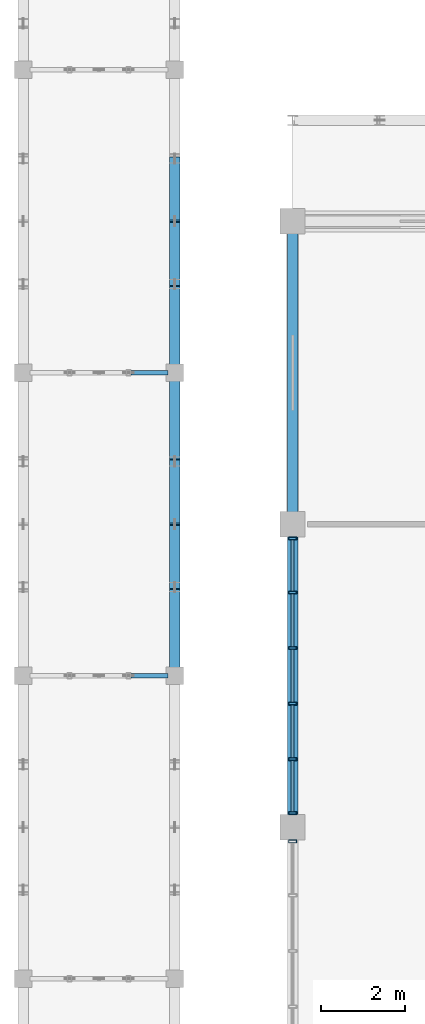
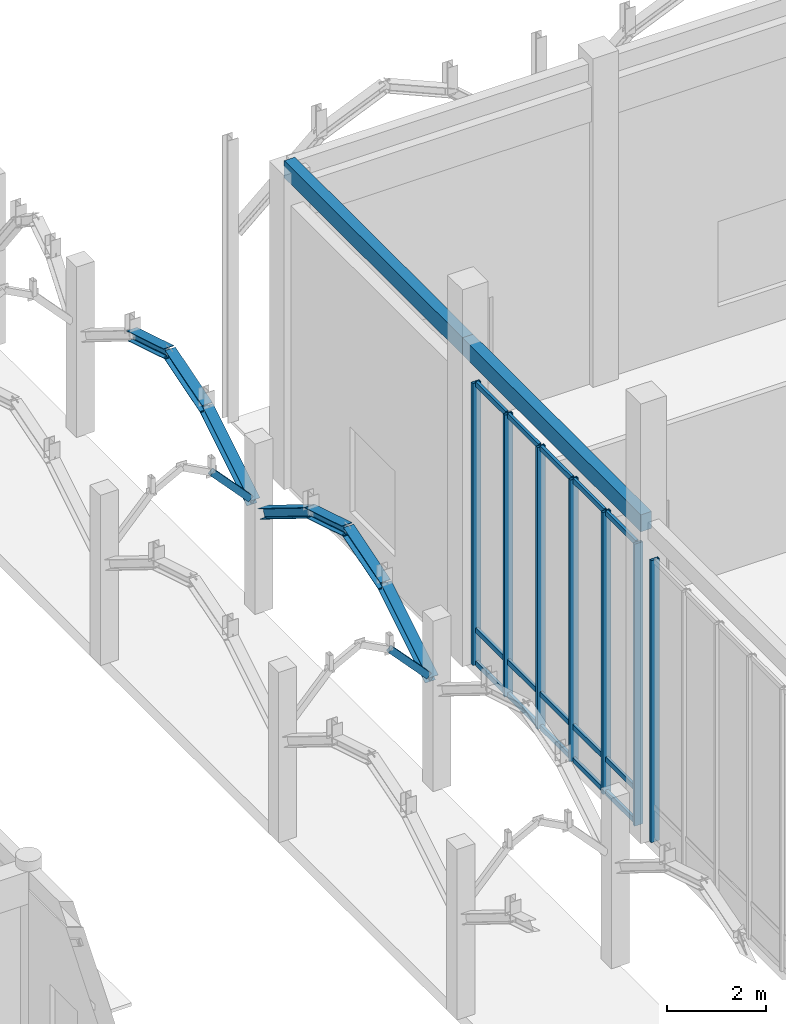
# One storey, part 25 of 138: 31 members, 2 beams, 2 elements without a shape of their own.
"""IFC4 building model written with IfcOpenShell, lengths in metres."""

from ifc_helpers import new_model, si_unit, direction, frame, origin, origin_2d, place, context, subcontext, project, spatial, rectangle, hollow_rectangle, i_section, extrude, material, layer, layer_set, material_profile, profile_set, type_object, element, aggregate, save


model = new_model("IFC4")

# Units and contexts
model_context = context("Model", 3, precision=1e-05, world=origin(), true_north=direction((0.0, 1.0)))
body_context = subcontext(model_context, "Body", "Model", "MODEL_VIEW")
ifc_project = project(units=[si_unit("LENGTHUNIT", "METRE"), si_unit("AREAUNIT", "SQUARE_METRE"), si_unit("VOLUMEUNIT", "CUBIC_METRE"), si_unit("PLANEANGLEUNIT", "RADIAN"), si_unit("MASSUNIT", "GRAM", prefix="KILO"), si_unit("THERMODYNAMICTEMPERATUREUNIT", "KELVIN"), si_unit("POWERUNIT", "WATT")], contexts=[model_context])

# Site, building, storey
site_placement = place(None, origin())
site = spatial("IfcSite", under=ifc_project, at=site_placement, CompositionType="ELEMENT")
building_placement = place(site_placement, origin())
building = spatial("IfcBuilding", under=site, at=building_placement, Name="Tavuni Mirador Residences", CompositionType="ELEMENT")
storey_placement = place(building_placement, origin())
storey = spatial("IfcBuildingStorey", under=building, at=storey_placement, Name="L00", CompositionType="ELEMENT", Elevation=0.0)

# Beams
ifc_material_1 = material(Name="Precast concrete C40/50", Category="concrete")
ifc_material_profile_1 = material_profile(ifc_material_1, rectangle(XDim=0.25, YDim=0.419921875, at=origin_2d()), Name="PC 250x420", Category="concrete")
ifc_profile_set_1 = profile_set([ifc_material_profile_1], Name="Precast concrete C40/50")
beam_type = type_object("IfcBeamType", Name="BT-SP420", PredefinedType="SPANDREL", material=ifc_profile_set_1)
beam_1_placement = place(storey_placement, frame((39.60009765625, 86.39990234375, 7.659912109375), z_axis=(0.0, 1.0, 0.0), x_axis=(-1.0, 0.0, 0.0)))
element("IfcBeam", 1, at=beam_1_placement, inside=storey, type_object=beam_type, Name="BMY-PAV-HALL-L00-00-02", PredefinedType="SPANDREL", context=body_context, shape_type="SweptSolid", body=[
    extrude(rectangle(XDim=0.25, YDim=0.419921875, at=origin_2d()), origin(), (0.0, 0.0, 1.0), 7.2001953125),
])
beam_2_placement = place(storey_placement, frame((39.60009765625, 93.60009765625, 7.659912109375), z_axis=(0.0, 1.0, 0.0), x_axis=(-1.0, 0.0, 0.0)))
element("IfcBeam", 2, at=beam_2_placement, inside=storey, type_object=beam_type, Name="BMY-PAV-HALL-L00-00-03", PredefinedType="SPANDREL", context=body_context, shape_type="SweptSolid", body=[
    extrude(rectangle(XDim=0.25, YDim=0.419921875, at=origin_2d()), origin(), (0.0, 0.0, 1.0), 7.199951171875),
])

# Curtain wall, members
ifc_material_2 = material(Name="Anodised aluminium", Category="aluminium")
ifc_layer = layer(ifc_material_2, 0.199951171875, Name="Anodised aluminium", Category="aluminium")
ifc_layer_set = layer_set([ifc_layer], Name="Anodised aluminium")
curtain_wall_type = type_object("IfcCurtainWallType", Name="CWT-HAL-01", PredefinedType="NOTDEFINED", material=ifc_layer_set)
curtain_wall_1_placement = place(storey_placement, origin())
curtain_wall_1 = element("IfcCurtainWall", 3, at=curtain_wall_1_placement, inside=storey, type_object=curtain_wall_type, Name="CW-PAV-HALL-L00-W02", PredefinedType="NOTDEFINED")
ifc_material_profile_2 = material_profile(ifc_material_2, hollow_rectangle(XDim=0.070068359375, YDim=0.18994140625, WallThickness=0.0048828125, at=origin_2d()), Name="ALU 70x190x5.0", Category="aluminium")
ifc_profile_set_2 = profile_set([ifc_material_profile_2], Name="Anodised aluminium")
member_type_1 = type_object("IfcMemberType", Name="CWM-190", PredefinedType="MULLION", material=ifc_profile_set_2)
member_1_placement = place(storey_placement, frame((39.60009765625, 93.264892578125, 0.0), z_axis=(0.0, 0.0, 1.0), x_axis=(0.0, -1.0, 0.0)))
member_1 = element("IfcMember", 4, at=member_1_placement, type_object=member_type_1, Name="CW-06 mullion 1", PredefinedType="MULLION", context=body_context, shape_type="SweptSolid", body=[
    extrude(hollow_rectangle(XDim=0.070068359375, YDim=0.18994140625, WallThickness=0.0048828125, at=origin_2d()), origin(), (0.0, 0.0, 1.0), 6.949951171875),
])
member_2_placement = place(storey_placement, frame((39.60009765625, 91.97998046875, 0.0), z_axis=(0.0, 0.0, 1.0), x_axis=(0.0, -1.0, 0.0)))
member_2 = element("IfcMember", 5, at=member_2_placement, type_object=member_type_1, Name="CW-06 mullion 2", PredefinedType="MULLION", context=body_context, shape_type="SweptSolid", body=[
    extrude(hollow_rectangle(XDim=0.070068359375, YDim=0.18994140625, WallThickness=0.0048828125, at=origin_2d()), origin(), (0.0, 0.0, 1.0), 6.949951171875),
])
member_3_placement = place(storey_placement, frame((39.60009765625, 90.659912109375, 0.0), z_axis=(0.0, 0.0, 1.0), x_axis=(0.0, -1.0, 0.0)))
member_3 = element("IfcMember", 6, at=member_3_placement, type_object=member_type_1, Name="CW-06 mullion 3", PredefinedType="MULLION", context=body_context, shape_type="SweptSolid", body=[
    extrude(hollow_rectangle(XDim=0.070068359375, YDim=0.18994140625, WallThickness=0.0048828125, at=origin_2d()), origin(), (0.0, 0.0, 1.0), 6.949951171875),
])
member_4_placement = place(storey_placement, frame((39.60009765625, 89.340087890625, 0.0), z_axis=(0.0, 0.0, 1.0), x_axis=(0.0, -1.0, 0.0)))
member_4 = element("IfcMember", 7, at=member_4_placement, type_object=member_type_1, Name="CW-06 mullion 4", PredefinedType="MULLION", context=body_context, shape_type="SweptSolid", body=[
    extrude(hollow_rectangle(XDim=0.070068359375, YDim=0.18994140625, WallThickness=0.0048828125, at=origin_2d()), origin(), (0.0, 0.0, 1.0), 6.949951171875),
])
member_5_placement = place(storey_placement, frame((39.60009765625, 88.02001953125, 0.0), z_axis=(0.0, 0.0, 1.0), x_axis=(0.0, -1.0, 0.0)))
member_5 = element("IfcMember", 8, at=member_5_placement, type_object=member_type_1, Name="CW-06 mullion 5", PredefinedType="MULLION", context=body_context, shape_type="SweptSolid", body=[
    extrude(hollow_rectangle(XDim=0.070068359375, YDim=0.18994140625, WallThickness=0.0048828125, at=origin_2d()), origin(), (0.0, 0.0, 1.0), 6.949951171875),
])
member_6_placement = place(storey_placement, frame((39.60009765625, 86.735107421875, 0.0), z_axis=(0.0, 0.0, 1.0), x_axis=(0.0, -1.0, 0.0)))
member_6 = element("IfcMember", 9, at=member_6_placement, type_object=member_type_1, Name="CW-06 mullion 6", PredefinedType="MULLION", context=body_context, shape_type="SweptSolid", body=[
    extrude(hollow_rectangle(XDim=0.070068359375, YDim=0.18994140625, WallThickness=0.0048828125, at=origin_2d()), origin(), (0.0, 0.0, 1.0), 6.949951171875),
])

# Curtain wall, member
curtain_wall_2_placement = place(storey_placement, origin())
curtain_wall_2 = element("IfcCurtainWall", 10, at=curtain_wall_2_placement, inside=storey, type_object=curtain_wall_type, Name="CW-PAV-HALL-L00-W01", PredefinedType="NOTDEFINED")
member_7_placement = place(storey_placement, frame((39.60009765625, 86.06494140625, 0.0), z_axis=(0.0, 0.0, 1.0), x_axis=(0.0, -1.0, 0.0)))
member_7 = element("IfcMember", 11, at=member_7_placement, type_object=member_type_1, Name="CW-06 mullion 1", PredefinedType="MULLION", context=body_context, shape_type="SweptSolid", body=[
    extrude(hollow_rectangle(XDim=0.070068359375, YDim=0.18994140625, WallThickness=0.0048828125, at=origin_2d()), origin(), (0.0, 0.0, 1.0), 6.949951171875),
])
aggregate(curtain_wall_2, [member_7])

# Member
ifc_material_profile_3 = material_profile(ifc_material_2, hollow_rectangle(XDim=0.06494140625, YDim=0.125, WallThickness=0.00439453125, at=origin_2d()), Name="ALU 65x125x4.5", Category="aluminium")
ifc_profile_set_3 = profile_set([ifc_material_profile_3], Name="Anodised aluminium")
member_type_2 = type_object("IfcMemberType", Name="CWT-125", PredefinedType="USERDEFINED", material=ifc_profile_set_3)
member_8_placement = place(storey_placement, frame((39.60009765625, 93.22998046875, 0.032470703125), z_axis=(0.0, -1.0, 0.0), x_axis=(1.0, 0.0, 0.0)))
member_8 = element("IfcMember", 12, at=member_8_placement, type_object=member_type_2, Name="CW-06 transom 1.1", ObjectType="TRANSOM", PredefinedType="USERDEFINED", context=body_context, shape_type="SweptSolid", body=[
    extrude(hollow_rectangle(XDim=0.06494140625, YDim=0.125, WallThickness=0.00439453125, at=origin_2d()), origin(), (0.0, 0.0, 1.0), 1.215087890625),
])

member_9_placement = place(storey_placement, frame((39.60009765625, 93.22998046875, 0.85009765625), z_axis=(0.0, -1.0, 0.0), x_axis=(1.0, 0.0, 0.0)))
member_9 = element("IfcMember", 13, at=member_9_placement, type_object=member_type_2, Name="CW-06 transom 1.2", ObjectType="TRANSOM", PredefinedType="USERDEFINED", context=body_context, shape_type="SweptSolid", body=[
    extrude(hollow_rectangle(XDim=0.06494140625, YDim=0.125, WallThickness=0.00439453125, at=origin_2d()), origin(), (0.0, 0.0, 1.0), 1.215087890625),
])

member_10_placement = place(storey_placement, frame((39.60009765625, 93.22998046875, 6.91748046875), z_axis=(0.0, -1.0, 0.0), x_axis=(1.0, 0.0, 0.0)))
member_10 = element("IfcMember", 14, at=member_10_placement, type_object=member_type_2, Name="CW-06 transom 1.3", ObjectType="TRANSOM", PredefinedType="USERDEFINED", context=body_context, shape_type="SweptSolid", body=[
    extrude(hollow_rectangle(XDim=0.06494140625, YDim=0.125, WallThickness=0.00439453125, at=origin_2d()), origin(), (0.0, 0.0, 1.0), 1.215087890625),
])

member_11_placement = place(storey_placement, frame((39.60009765625, 91.945068359375, 0.032470703125), z_axis=(0.0, -1.0, 0.0), x_axis=(1.0, 0.0, 0.0)))
member_11 = element("IfcMember", 15, at=member_11_placement, type_object=member_type_2, Name="CW-06 transom 2.1", ObjectType="TRANSOM", PredefinedType="USERDEFINED", context=body_context, shape_type="SweptSolid", body=[
    extrude(hollow_rectangle(XDim=0.06494140625, YDim=0.125, WallThickness=0.00439453125, at=origin_2d()), origin(), (0.0, 0.0, 1.0), 1.25),
])

member_12_placement = place(storey_placement, frame((39.60009765625, 91.945068359375, 0.85009765625), z_axis=(0.0, -1.0, 0.0), x_axis=(1.0, 0.0, 0.0)))
member_12 = element("IfcMember", 16, at=member_12_placement, type_object=member_type_2, Name="CW-06 transom 2.2", ObjectType="TRANSOM", PredefinedType="USERDEFINED", context=body_context, shape_type="SweptSolid", body=[
    extrude(hollow_rectangle(XDim=0.06494140625, YDim=0.125, WallThickness=0.00439453125, at=origin_2d()), origin(), (0.0, 0.0, 1.0), 1.25),
])

member_13_placement = place(storey_placement, frame((39.60009765625, 91.945068359375, 6.91748046875), z_axis=(0.0, -1.0, 0.0), x_axis=(1.0, 0.0, 0.0)))
member_13 = element("IfcMember", 17, at=member_13_placement, type_object=member_type_2, Name="CW-06 transom 2.3", ObjectType="TRANSOM", PredefinedType="USERDEFINED", context=body_context, shape_type="SweptSolid", body=[
    extrude(hollow_rectangle(XDim=0.06494140625, YDim=0.125, WallThickness=0.00439453125, at=origin_2d()), origin(), (0.0, 0.0, 1.0), 1.25),
])

member_14_placement = place(storey_placement, frame((39.60009765625, 90.625, 0.032470703125), z_axis=(0.0, -1.0, 0.0), x_axis=(1.0, 0.0, 0.0)))
member_14 = element("IfcMember", 18, at=member_14_placement, type_object=member_type_2, Name="CW-06 transom 3.1", ObjectType="TRANSOM", PredefinedType="USERDEFINED", context=body_context, shape_type="SweptSolid", body=[
    extrude(hollow_rectangle(XDim=0.06494140625, YDim=0.125, WallThickness=0.00439453125, at=origin_2d()), origin(), (0.0, 0.0, 1.0), 1.25),
])

member_15_placement = place(storey_placement, frame((39.60009765625, 90.625, 0.85009765625), z_axis=(0.0, -1.0, 0.0), x_axis=(1.0, 0.0, 0.0)))
member_15 = element("IfcMember", 19, at=member_15_placement, type_object=member_type_2, Name="CW-06 transom 3.2", ObjectType="TRANSOM", PredefinedType="USERDEFINED", context=body_context, shape_type="SweptSolid", body=[
    extrude(hollow_rectangle(XDim=0.06494140625, YDim=0.125, WallThickness=0.00439453125, at=origin_2d()), origin(), (0.0, 0.0, 1.0), 1.25),
])

member_16_placement = place(storey_placement, frame((39.60009765625, 90.625, 6.91748046875), z_axis=(0.0, -1.0, 0.0), x_axis=(1.0, 0.0, 0.0)))
member_16 = element("IfcMember", 20, at=member_16_placement, type_object=member_type_2, Name="CW-06 transom 3.3", ObjectType="TRANSOM", PredefinedType="USERDEFINED", context=body_context, shape_type="SweptSolid", body=[
    extrude(hollow_rectangle(XDim=0.06494140625, YDim=0.125, WallThickness=0.00439453125, at=origin_2d()), origin(), (0.0, 0.0, 1.0), 1.25),
])

member_17_placement = place(storey_placement, frame((39.60009765625, 89.304931640625, 0.032470703125), z_axis=(0.0, -1.0, 0.0), x_axis=(1.0, 0.0, 0.0)))
member_17 = element("IfcMember", 21, at=member_17_placement, type_object=member_type_2, Name="CW-06 transom 4.1", ObjectType="TRANSOM", PredefinedType="USERDEFINED", context=body_context, shape_type="SweptSolid", body=[
    extrude(hollow_rectangle(XDim=0.06494140625, YDim=0.125, WallThickness=0.00439453125, at=origin_2d()), origin(), (0.0, 0.0, 1.0), 1.25),
])

member_18_placement = place(storey_placement, frame((39.60009765625, 89.304931640625, 0.85009765625), z_axis=(0.0, -1.0, 0.0), x_axis=(1.0, 0.0, 0.0)))
member_18 = element("IfcMember", 22, at=member_18_placement, type_object=member_type_2, Name="CW-06 transom 4.2", ObjectType="TRANSOM", PredefinedType="USERDEFINED", context=body_context, shape_type="SweptSolid", body=[
    extrude(hollow_rectangle(XDim=0.06494140625, YDim=0.125, WallThickness=0.00439453125, at=origin_2d()), origin(), (0.0, 0.0, 1.0), 1.25),
])

member_19_placement = place(storey_placement, frame((39.60009765625, 89.304931640625, 6.91748046875), z_axis=(0.0, -1.0, 0.0), x_axis=(1.0, 0.0, 0.0)))
member_19 = element("IfcMember", 23, at=member_19_placement, type_object=member_type_2, Name="CW-06 transom 4.3", ObjectType="TRANSOM", PredefinedType="USERDEFINED", context=body_context, shape_type="SweptSolid", body=[
    extrude(hollow_rectangle(XDim=0.06494140625, YDim=0.125, WallThickness=0.00439453125, at=origin_2d()), origin(), (0.0, 0.0, 1.0), 1.25),
])

member_20_placement = place(storey_placement, frame((39.60009765625, 87.985107421875, 0.032470703125), z_axis=(0.0, -1.0, 0.0), x_axis=(1.0, 0.0, 0.0)))
member_20 = element("IfcMember", 24, at=member_20_placement, type_object=member_type_2, Name="CW-06 transom 5.1", ObjectType="TRANSOM", PredefinedType="USERDEFINED", context=body_context, shape_type="SweptSolid", body=[
    extrude(hollow_rectangle(XDim=0.06494140625, YDim=0.125, WallThickness=0.00439453125, at=origin_2d()), origin(), (0.0, 0.0, 1.0), 1.215087890625),
])

member_21_placement = place(storey_placement, frame((39.60009765625, 87.985107421875, 0.85009765625), z_axis=(0.0, -1.0, 0.0), x_axis=(1.0, 0.0, 0.0)))
member_21 = element("IfcMember", 25, at=member_21_placement, type_object=member_type_2, Name="CW-06 transom 5.2", ObjectType="TRANSOM", PredefinedType="USERDEFINED", context=body_context, shape_type="SweptSolid", body=[
    extrude(hollow_rectangle(XDim=0.06494140625, YDim=0.125, WallThickness=0.00439453125, at=origin_2d()), origin(), (0.0, 0.0, 1.0), 1.215087890625),
])

member_22_placement = place(storey_placement, frame((39.60009765625, 87.985107421875, 6.91748046875), z_axis=(0.0, -1.0, 0.0), x_axis=(1.0, 0.0, 0.0)))
member_22 = element("IfcMember", 26, at=member_22_placement, type_object=member_type_2, Name="CW-06 transom 5.3", ObjectType="TRANSOM", PredefinedType="USERDEFINED", context=body_context, shape_type="SweptSolid", body=[
    extrude(hollow_rectangle(XDim=0.06494140625, YDim=0.125, WallThickness=0.00439453125, at=origin_2d()), origin(), (0.0, 0.0, 1.0), 1.215087890625),
])

aggregate(curtain_wall_1, [member_1, member_2, member_3, member_4, member_5, member_6, member_8, member_9, member_10, member_11, member_12, member_13, member_14, member_15, member_16, member_17, member_18, member_19, member_20, member_21, member_22])

# Members
ifc_material_3 = material(Name="Structural steel S355", Category="steel")
ifc_material_profile_4 = material_profile(ifc_material_3, hollow_rectangle(XDim=0.10009765625, YDim=0.14990234375, WallThickness=0.008056640625, at=origin_2d()), Name="RHS 150x100x8.0", Category="steel")
ifc_profile_set_4 = profile_set([ifc_material_profile_4], Name="Structural steel S355")
member_type_3 = type_object("IfcMemberType", Name="MT-BR-RHS150", PredefinedType="BRACE", material=ifc_profile_set_4)
for number, where, z_axis, x_axis, name in (
    (27, (35.69970703125, 90.0, 3.70751953125), (0.680966584085, 0.0, -0.732314489383), (0.0, 1.0, 0.0), "ARCH-COLO-T-05-H2"),
    (28, (35.69970703125, 97.199951171875, 3.70751953125), (0.680966584085, 0.0, -0.732314489383), (0.0, 1.0, 0.0), "ARCH-COLO-T-06-H2"),
):
    element("IfcMember", number, at=place(storey_placement, frame(where, z_axis=z_axis, x_axis=x_axis)), inside=storey, type_object=member_type_3, Name=name, PredefinedType="BRACE", context=body_context, shape_type="SweptSolid", body=[
        extrude(hollow_rectangle(XDim=0.10009765625, YDim=0.14990234375, WallThickness=0.008056640625, at=origin_2d()), origin(), (0.0, 0.0, 1.0), 1.3076171875),
    ])
ifc_material_profile_5 = material_profile(ifc_material_3, i_section(OverallWidth=0.239990234375, OverallDepth=0.22998046875, WebThickness=0.007568359375, FlangeThickness=0.011962890625, FilletRadius=0.02099609375, at=origin_2d()), Name="HEA 240", Category="steel")
ifc_profile_set_5 = profile_set([ifc_material_profile_5], Name="Structural steel S355")
member_type_4 = type_object("IfcMemberType", Name="MT-CH-HEA240", PredefinedType="CHORD", material=ifc_profile_set_5)
member_23_placement = place(storey_placement, frame((36.800048828125, 90.2099609375, 2.449951171875), z_axis=(0.0, 0.850593680007, 0.525823536496), x_axis=(-1.0, 0.0, 0.0)))
element("IfcMember", 29, at=member_23_placement, inside=storey, type_object=member_type_4, Name="ARCH-COLO-E-05-H1", PredefinedType="CHORD", context=body_context, shape_type="SweptSolid", body=[
    extrude(i_section(OverallWidth=0.239990234375, OverallDepth=0.22998046875, WebThickness=0.007568359375, FlangeThickness=0.011962890625, FilletRadius=0.02099609375, at=origin_2d()), origin(), (0.0, 0.0, 1.0), 2.23193359375),
])
member_24_placement = place(storey_placement, frame((36.800048828125, 92.1083984375, 3.62353515625), z_axis=(0.0, 0.95621783268, 0.292655866958), x_axis=(-1.0, 0.0, 0.0)))
element("IfcMember", 30, at=member_24_placement, inside=storey, type_object=member_type_4, Name="ARCH-COLO-E-05-S1", PredefinedType="CHORD", context=body_context, shape_type="SweptSolid", body=[
    extrude(i_section(OverallWidth=0.239990234375, OverallDepth=0.22998046875, WebThickness=0.007568359375, FlangeThickness=0.011962890625, FilletRadius=0.02099609375, at=origin_2d()), origin(), (0.0, 0.0, 1.0), 1.56005859375),
])
member_25_placement = place(storey_placement, frame((36.800048828125, 93.60009765625, 4.080078125), z_axis=(0.0, 0.956204425804, -0.292699668727), x_axis=(-1.0, 0.0, 0.0)))
element("IfcMember", 31, at=member_25_placement, inside=storey, type_object=member_type_4, Name="ARCH-COLO-E-05-S2", PredefinedType="CHORD", context=body_context, shape_type="SweptSolid", body=[
    extrude(i_section(OverallWidth=0.239990234375, OverallDepth=0.22998046875, WebThickness=0.007568359375, FlangeThickness=0.011962890625, FilletRadius=0.02099609375, at=origin_2d()), origin(), (0.0, 0.0, 1.0), 1.559814453125),
])
for number, where, z_axis, x_axis, name in (
    (32, (36.800048828125, 95.091552734375, 3.62353515625), (0.0, 0.850593680007, -0.525823536496), (-1.0, 0.0, 0.0), "ARCH-COLO-E-05-H2"),
    (33, (36.800048828125, 97.409912109375, 2.449951171875), (0.0, 0.850593680007, 0.525823536496), (-1.0, 0.0, 0.0), "ARCH-COLO-E-06-H1"),
):
    element("IfcMember", number, at=place(storey_placement, frame(where, z_axis=z_axis, x_axis=x_axis)), inside=storey, type_object=member_type_4, Name=name, PredefinedType="CHORD", context=body_context, shape_type="SweptSolid", body=[
        extrude(i_section(OverallWidth=0.239990234375, OverallDepth=0.22998046875, WebThickness=0.007568359375, FlangeThickness=0.011962890625, FilletRadius=0.02099609375, at=origin_2d()), origin(), (0.0, 0.0, 1.0), 2.23193359375),
    ])
member_26_placement = place(storey_placement, frame((36.800048828125, 99.308349609375, 3.62353515625), z_axis=(0.0, 0.95621783268, 0.292655866958), x_axis=(-1.0, 0.0, 0.0)))
element("IfcMember", 34, at=member_26_placement, inside=storey, type_object=member_type_4, Name="ARCH-COLO-E-06-S1", PredefinedType="CHORD", context=body_context, shape_type="SweptSolid", body=[
    extrude(i_section(OverallWidth=0.239990234375, OverallDepth=0.22998046875, WebThickness=0.007568359375, FlangeThickness=0.011962890625, FilletRadius=0.02099609375, at=origin_2d()), origin(), (0.0, 0.0, 1.0), 1.56005859375),
])
member_27_placement = place(storey_placement, frame((36.800048828125, 100.800048828125, 4.080078125), z_axis=(0.0, 0.956204425804, -0.292699668727), x_axis=(-1.0, 0.0, 0.0)))
element("IfcMember", 35, at=member_27_placement, inside=storey, type_object=member_type_4, Name="ARCH-COLO-E-06-S2", PredefinedType="CHORD", context=body_context, shape_type="SweptSolid", body=[
    extrude(i_section(OverallWidth=0.239990234375, OverallDepth=0.22998046875, WebThickness=0.007568359375, FlangeThickness=0.011962890625, FilletRadius=0.02099609375, at=origin_2d()), origin(), (0.0, 0.0, 1.0), 1.559814453125),
])

save(model, "model.ifc")
